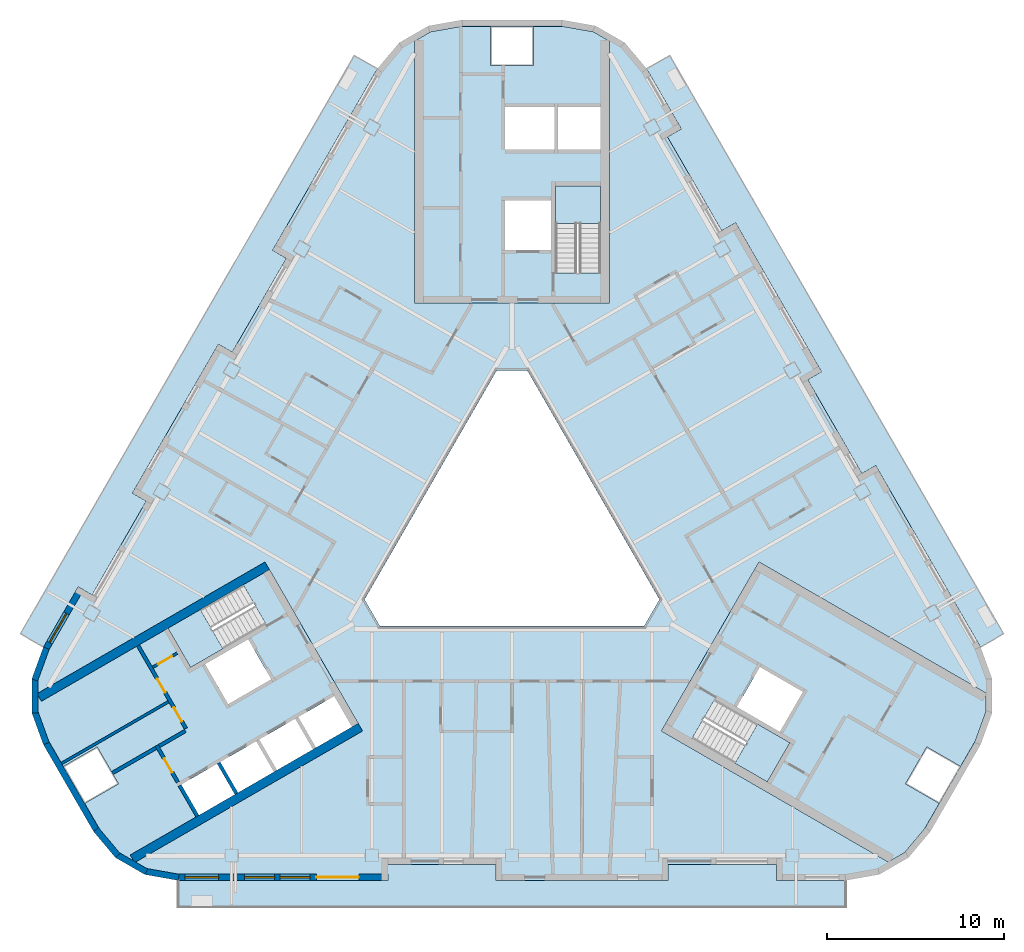
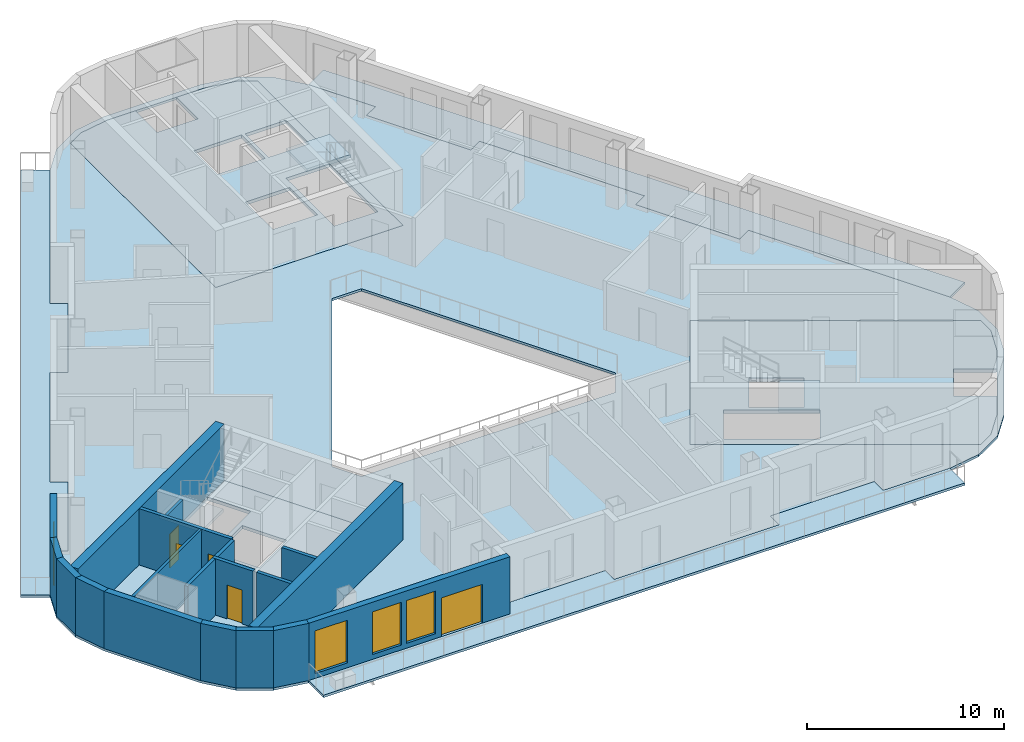
# One storey, part 2 of 14: 19 walls, 10 slabs, 5 doors, 4 windows, 9 openings, 3 elements without a shape of their own.
"""IFC4 building model written with IfcOpenShell, lengths in metres."""

from ifc_helpers import new_model, si_unit, direction, frame, frame_2d, origin, place, context, subcontext, project, spatial, polyline, rectangle, outline, extrude, material, layer, layer_set, type_object, element, fill, aggregate, save


model = new_model("IFC4")

# Units and contexts
model_context = context("Model", 3, precision=1e-05, world=origin(), true_north=direction((0.0, 1.0)))
body_context = subcontext(model_context, "Body", "Model", "MODEL_VIEW")
ifc_project = project(units=[si_unit("LENGTHUNIT", "METRE"), si_unit("AREAUNIT", "SQUARE_METRE"), si_unit("VOLUMEUNIT", "CUBIC_METRE"), si_unit("PLANEANGLEUNIT", "RADIAN"), si_unit("MASSUNIT", "GRAM", prefix="KILO")], contexts=[model_context])

# Site, building, storey
site_placement = place(None, origin())
site = spatial("IfcSite", under=ifc_project, at=site_placement, CompositionType="ELEMENT")
building_placement = place(site_placement, origin())
building = spatial("IfcBuilding", under=site, at=building_placement, Name="Apuvela Tower Hotel", CompositionType="ELEMENT")
storey_placement = place(building_placement, frame((0.0, 0.0, 216.89990234375)))
storey = spatial("IfcBuildingStorey", under=building, at=storey_placement, Name="L53", CompositionType="ELEMENT", Elevation=216.89990234375)

# Slabs
ifc_material_1 = material(Name="Concrete C50/60", Category="concrete")
ifc_layer_1 = layer(ifc_material_1, 0.199951171875)
ifc_layer_set_1 = layer_set([ifc_layer_1], Name="COR-FLOOR-200")
slab_type_1 = type_object("IfcSlabType", Name="COR-FLOOR-200", PredefinedType="FLOOR", material=ifc_layer_set_1)
slab_1_placement = place(storey_placement, frame((0.0, 0.0, -0.199951171875)))
element("IfcSlab", 1, at=slab_1_placement, inside=storey, type_object=slab_type_1, Name="Core floor N", PredefinedType="FLOOR", context=body_context, shape_type="SweptSolid", body=[
    extrude(outline(polyline([(5.5, 27.668212890625), (4.588623046875, 28.1943359375), (2.85498046875, 28.5), (1.199951171875, 28.5), (1.199951171875, 26.300048828125), (-1.199951171875, 26.300048828125), (-1.199951171875, 28.5), (-2.85498046875, 28.5), (-4.588623046875, 28.1943359375), (-5.5, 27.668212890625), (-5.5, 12.89990234375), (5.5, 12.89990234375), (5.5, 27.668212890625)]), holes=[polyline([(5.0, 14.60595703125), (2.449951171875, 14.60595703125), (2.449951171875, 19.5), (5.0, 19.5), (5.0, 14.60595703125)]), polyline([(2.199951171875, 15.89990234375), (-0.39990234375, 15.89990234375), (-0.39990234375, 18.699951171875), (2.199951171875, 18.699951171875), (2.199951171875, 15.89990234375)]), polyline([(5.0, 21.550048828125), (2.60009765625, 21.550048828125), (2.60009765625, 23.949951171875), (5.0, 23.949951171875), (5.0, 21.550048828125)]), polyline([(2.39990234375, 21.550048828125), (-0.39990234375, 21.550048828125), (-0.39990234375, 23.949951171875), (2.39990234375, 23.949951171875), (2.39990234375, 21.550048828125)])]), origin(), (0.0, 0.0, 1.0), 0.199951171875),
])
slab_2_placement = place(storey_placement, frame((0.0, 0.0, -0.199951171875)))
element("IfcSlab", 2, at=slab_2_placement, inside=storey, type_object=slab_type_1, Name="Core floor SW", PredefinedType="FLOOR", context=body_context, shape_type="SweptSolid", body=[
    extrude(outline(polyline([(-26.711181640625, -9.07080078125), (-26.711181640625, -10.123291015625), (-26.109375, -11.77734375), (-25.28173828125, -13.210693359375), (-23.37646484375, -12.11083984375), (-22.176513671875, -14.189208984375), (-24.081787109375, -15.289306640625), (-23.254150390625, -16.72265625), (-22.122802734375, -18.071044921875), (-21.211181640625, -18.59716796875), (-8.421630859375, -11.213134765625), (-13.921630859375, -1.68701171875), (-26.711181640625, -9.07080078125)]), holes=[polyline([(-10.01806640625, -9.248046875), (-9.01806640625, -10.97998046875), (-11.044677734375, -12.150146484375), (-12.044677734375, -10.418212890625), (-10.01806640625, -9.248046875)]), polyline([(-14.244384765625, -11.68798828125), (-12.2177734375, -10.51806640625), (-11.2177734375, -12.25), (-13.244384765625, -13.420166015625), (-14.244384765625, -11.68798828125)]), polyline([(-19.387451171875, -5.419921875), (-15.149169921875, -2.972900390625), (-13.874267578125, -5.18115234375), (-18.112548828125, -7.628173828125), (-19.387451171875, -5.419921875)]), polyline([(-14.869873046875, -6.044677734375), (-13.56982421875, -8.29638671875), (-15.99462890625, -9.6962890625), (-17.294677734375, -7.444580078125), (-14.869873046875, -6.044677734375)]), polyline([(-16.444091796875, -12.9580078125), (-14.41748046875, -11.7880859375), (-13.41748046875, -13.52001953125), (-15.444091796875, -14.690185546875), (-16.444091796875, -12.9580078125)]), polyline([(-18.643798828125, -14.22802734375), (-16.6171875, -13.05810546875), (-15.6171875, -14.7900390625), (-17.643798828125, -15.960205078125), (-18.643798828125, -14.22802734375)])]), origin(), (0.0, 0.0, 1.0), 0.199951171875),
])
slab_3_placement = place(storey_placement, frame((0.0, 0.0, -0.199951171875)))
element("IfcSlab", 3, at=slab_3_placement, inside=storey, type_object=slab_type_1, Name="Core floor SE", PredefinedType="FLOOR", context=body_context, shape_type="SweptSolid", body=[
    extrude(outline(polyline([(21.211181640625, -18.59716796875), (22.122802734375, -18.071044921875), (23.254150390625, -16.72265625), (24.081787109375, -15.289306640625), (22.176513671875, -14.189208984375), (23.37646484375, -12.11083984375), (25.28173828125, -13.210693359375), (26.109375, -11.77734375), (26.711181640625, -10.123291015625), (26.711181640625, -9.07080078125), (13.921630859375, -1.68701171875), (8.421630859375, -11.213134765625), (21.211181640625, -18.59716796875)]), holes=[polyline([(11.42431640625, -9.4248046875), (15.66259765625, -11.871826171875), (14.387451171875, -14.080078125), (10.149169921875, -11.633056640625), (11.42431640625, -9.4248046875)]), polyline([(13.9697265625, -7.603515625), (16.394775390625, -9.003662109375), (15.0947265625, -11.25537109375), (12.669921875, -9.855224609375), (13.9697265625, -7.603515625)])]), origin(), (0.0, 0.0, 1.0), 0.199951171875),
])

# Stair, slab
stair_type = type_object("IfcStairType", Name="COR-STAIR-22R", PredefinedType="HALF_TURN_STAIR", material=ifc_material_1)
stair_1_placement = place(storey_placement, origin())
stair_1 = element("IfcStair", 4, at=stair_1_placement, inside=storey, type_object=stair_type, Name="L53 Exit stair ST1", PredefinedType="HALF_TURN_STAIR")
ifc_layer_2 = layer(ifc_material_1, 0.199951171875)
ifc_layer_set_2 = layer_set([ifc_layer_2], Name="COR-LANDING-200")
slab_type_2 = type_object("IfcSlabType", Name="COR-LANDING-200", PredefinedType="LANDING", material=ifc_layer_set_2)
slab_4_placement = place(storey_placement, frame((0.0, 0.0, 1.650146484375)))
slab_4 = element("IfcSlab", 5, at=slab_4_placement, type_object=slab_type_2, Name="ST1 landing 1", PredefinedType="LANDING", context=body_context, shape_type="SweptSolid", body=[
    extrude(outline(polyline([(5.0, 17.39404296875), (5.0, 19.5), (2.449951171875, 19.5), (2.449951171875, 17.39404296875), (5.0, 17.39404296875)])), origin(), (0.0, 0.0, 1.0), 0.199951171875),
])
aggregate(stair_1, [slab_4])

stair_2_placement = place(storey_placement, origin())
stair_2 = element("IfcStair", 6, at=stair_2_placement, inside=storey, type_object=stair_type, Name="L53 Exit stair ST2", PredefinedType="HALF_TURN_STAIR")
slab_5_placement = place(storey_placement, frame((0.0, 0.0, 1.650146484375)))
slab_5 = element("IfcSlab", 7, at=slab_5_placement, type_object=slab_type_2, Name="ST2 landing 1", PredefinedType="LANDING", context=body_context, shape_type="SweptSolid", body=[
    extrude(outline(polyline([(-17.563720703125, -4.366943359375), (-19.387451171875, -5.419921875), (-18.112548828125, -7.628173828125), (-16.28857421875, -6.5751953125), (-17.563720703125, -4.366943359375)])), origin(), (0.0, 0.0, 1.0), 0.199951171875),
])
aggregate(stair_2, [slab_5])

stair_3_placement = place(storey_placement, origin())
stair_3 = element("IfcStair", 8, at=stair_3_placement, inside=storey, type_object=stair_type, Name="L53 Exit stair ST3", PredefinedType="HALF_TURN_STAIR")
slab_6_placement = place(storey_placement, frame((0.0, 0.0, 1.650146484375)))
slab_6 = element("IfcSlab", 9, at=slab_6_placement, type_object=slab_type_2, Name="ST3 landing 1", PredefinedType="LANDING", context=body_context, shape_type="SweptSolid", body=[
    extrude(outline(polyline([(12.563720703125, -13.027099609375), (14.387451171875, -14.080078125), (15.66259765625, -11.871826171875), (13.838623046875, -10.81884765625), (12.563720703125, -13.027099609375)])), origin(), (0.0, 0.0, 1.0), 0.199951171875),
])
aggregate(stair_3, [slab_6])

# Slabs
ifc_material_2 = material(Name="Concrete C40/50, fair-faced", Category="concrete")
ifc_layer_3 = layer(ifc_material_2, 0.14990234375)
ifc_layer_set_3 = layer_set([ifc_layer_3], Name="ENV-BALCONY-150")
slab_type_3 = type_object("IfcSlabType", Name="ENV-BALCONY-150", PredefinedType="FLOOR", material=ifc_layer_set_3)
slab_7_placement = place(storey_placement, frame((0.0, 0.0, -0.14990234375)))
element("IfcSlab", 10, at=slab_7_placement, inside=storey, type_object=slab_type_3, Name="Balcony slab S L53", PredefinedType="FLOOR", context=body_context, shape_type="SweptSolid", body=[
    extrude(outline(polyline([(18.82080078125, -21.135009765625), (-18.82080078125, -21.135009765625), (-18.82080078125, -19.625), (-7.0048828125, -19.625), (-7.0048828125, -18.72509765625), (-0.89501953125, -18.72509765625), (-0.89501953125, -19.625), (8.794921875, -19.625), (8.794921875, -18.72509765625), (14.905029296875, -18.72509765625), (14.905029296875, -19.625), (18.82080078125, -19.625), (18.82080078125, -21.135009765625)])), origin(), (0.0, 0.0, 1.0), 0.14990234375),
])
slab_8_placement = place(storey_placement, frame((0.0, 0.0, -0.14990234375)))
element("IfcSlab", 11, at=slab_8_placement, inside=storey, type_object=slab_type_3, Name="Balcony slab NE L53", PredefinedType="FLOOR", context=body_context, shape_type="SweptSolid", body=[
    extrude(outline(polyline([(17.443359375, 9.037353515625), (12.598388671875, 17.42919921875), (11.81884765625, 16.979248046875), (8.763916015625, 22.2705078125), (9.543212890625, 22.720703125), (7.585205078125, 26.11181640625), (8.89306640625, 26.86669921875), (27.7138671875, -5.731689453125), (26.40625, -6.48681640625), (20.498291015625, 3.74609375), (19.71875, 3.2958984375), (16.663818359375, 8.58740234375), (17.443359375, 9.037353515625)])), origin(), (0.0, 0.0, 1.0), 0.14990234375),
])
slab_9_placement = place(storey_placement, frame((0.0, 0.0, -0.14990234375)))
element("IfcSlab", 12, at=slab_9_placement, inside=storey, type_object=slab_type_3, Name="Balcony slab NW L53", PredefinedType="FLOOR", context=body_context, shape_type="SweptSolid", body=[
    extrude(outline(polyline([(-27.7138671875, -5.731689453125), (-8.89306640625, 26.86669921875), (-7.585205078125, 26.11181640625), (-13.4931640625, 15.87890625), (-12.7138671875, 15.428955078125), (-15.768798828125, 10.1376953125), (-16.548095703125, 10.587646484375), (-21.393310546875, 2.19580078125), (-20.61376953125, 1.745849609375), (-23.668701171875, -3.545654296875), (-24.4482421875, -3.095703125), (-26.40625, -6.48681640625), (-27.7138671875, -5.731689453125)])), origin(), (0.0, 0.0, 1.0), 0.14990234375),
])
ifc_material_3 = material(Name="Concrete C35/45", Category="concrete")
ifc_layer_4 = layer(ifc_material_3, 0.14990234375)
ifc_layer_set_4 = layer_set([ifc_layer_4], Name="STR-SLAB 150 floor Concrete C35/45")
slab_type_4 = type_object("IfcSlabType", Name="STR-SLAB 150 floor Concrete C35/45", PredefinedType="FLOOR", material=ifc_layer_set_4)
slab_10_placement = place(storey_placement, frame((0.0, 0.0, -0.14990234375)))
element("IfcSlab", 13, at=slab_10_placement, inside=storey, type_object=slab_type_4, Name="Floor slab S4 L53", PredefinedType="FLOOR", context=body_context, shape_type="SweptSolid", body=[
    extrude(outline(polyline([(-6.3642578125, 27.5732421875), (-4.710205078125, 28.5283203125), (-2.8291015625, 28.860107421875), (2.8291015625, 28.860107421875), (4.710205078125, 28.5283203125), (6.3642578125, 27.5732421875), (7.59228515625, 26.110107421875), (9.550048828125, 22.71875), (8.770751953125, 22.268798828125), (11.82080078125, 16.986083984375), (12.60009765625, 17.43603515625), (17.4501953125, 9.035400390625), (16.670654296875, 8.58544921875), (19.720703125, 3.302734375), (20.5, 3.752685546875), (26.407958984375, -6.47998046875), (27.061279296875, -8.27490234375), (27.061279296875, -10.18505859375), (26.407958984375, -11.97998046875), (23.5791015625, -16.8798828125), (22.351318359375, -18.34326171875), (20.697021484375, -19.29833984375), (18.81591796875, -19.6298828125), (14.89990234375, -19.6298828125), (14.89990234375, -18.72998046875), (8.800048828125, -18.72998046875), (8.800048828125, -19.6298828125), (-0.89990234375, -19.6298828125), (-0.89990234375, -18.72998046875), (-7.0, -18.72998046875), (-7.0, -19.6298828125), (-18.81591796875, -19.6298828125), (-20.697021484375, -19.29833984375), (-22.351318359375, -18.34326171875), (-23.5791015625, -16.8798828125), (-26.407958984375, -11.97998046875), (-27.061279296875, -10.18505859375), (-27.061279296875, -8.27490234375), (-26.407958984375, -6.47998046875), (-24.4501953125, -3.088623046875), (-23.670654296875, -3.538818359375), (-20.62060546875, 1.743896484375), (-21.400146484375, 2.194091796875), (-16.550048828125, 10.594482421875), (-15.7705078125, 10.14453125), (-12.720703125, 15.42724609375), (-13.5, 15.877197265625), (-7.59228515625, 26.110107421875), (-6.3642578125, 27.5732421875)]), holes=[polyline([(0.865966796875, 9.10009765625), (-0.865966796875, 9.10009765625), (-8.313720703125, -3.800048828125), (-7.44775390625, -5.300048828125), (7.44775390625, -5.300048828125), (8.313720703125, -3.800048828125), (0.865966796875, 9.10009765625)]), polyline([(-5.5, 12.89990234375), (-5.5, 27.668212890625), (-4.588623046875, 28.1943359375), (-2.85498046875, 28.5), (2.85498046875, 28.5), (4.588623046875, 28.1943359375), (5.5, 27.668212890625), (5.5, 12.89990234375), (-5.5, 12.89990234375)]), polyline([(-8.421630859375, -11.213134765625), (-21.211181640625, -18.59716796875), (-22.122802734375, -18.071044921875), (-23.254150390625, -16.72265625), (-26.109375, -11.77734375), (-26.711181640625, -10.123291015625), (-26.711181640625, -9.07080078125), (-13.921630859375, -1.68701171875), (-8.421630859375, -11.213134765625)]), polyline([(13.921630859375, -1.68701171875), (26.711181640625, -9.07080078125), (26.711181640625, -10.123291015625), (26.109375, -11.77734375), (23.254150390625, -16.72265625), (22.122802734375, -18.071044921875), (21.211181640625, -18.59716796875), (8.421630859375, -11.213134765625), (13.921630859375, -1.68701171875)])]), origin(), (0.0, 0.0, 1.0), 0.14990234375),
])

# Walls
ifc_layer_5 = layer(ifc_material_1, 0.5)
ifc_layer_set_5 = layer_set([ifc_layer_5], Name="COR-WALL-CORE-500")
wall_type_1 = type_object("IfcWallType", Name="COR-WALL-CORE-500", PredefinedType="SHEAR", material=ifc_layer_set_5)
for number, where, z_axis, x_axis, name in (
    (14, (-13.796630859375, -1.9033203125, 0.0), (0.0, 0.0, 1.0), (-0.866025009528, -0.500000682871, 0.0), "Core wall SW"),
    (15, (-8.546630859375, -10.99658203125, 0.0), (0.0, 0.0, 1.0), (-0.866025009528, -0.500000682871, 0.0), "Core wall SW"),
):
    element("IfcWall", number, at=place(storey_placement, frame(where, z_axis=z_axis, x_axis=x_axis)), inside=storey, type_object=wall_type_1, Name=name, PredefinedType="SHEAR", context=body_context, shape_type="SweptSolid", body=[
        extrude(rectangle(XDim=14.8369140625, YDim=0.5, at=frame_2d((7.41845703125, 0.0))), origin(), (0.0, 0.0, 1.0), 3.5),
    ])

# Wall, opening, door
ifc_material_4 = material(Name="Blockwork 150 mm plastered", Category="masonry")
ifc_layer_6 = layer(ifc_material_4, 0.14990234375)
ifc_layer_set_6 = layer_set([ifc_layer_6], Name="COR-WALL-PART-150")
wall_type_2 = type_object("IfcWallType", Name="COR-WALL-PART-150", PredefinedType="PARTITIONING", material=ifc_layer_set_6)
wall_1_placement = place(storey_placement, frame((-18.866455078125, -6.822265625, 0.0), z_axis=(0.0, 0.0, 1.0), x_axis=(-0.866028054938, -0.499995408039, 0.0)))
wall_1 = element("IfcWall", 16, at=wall_1_placement, inside=storey, type_object=wall_type_2, Name="Partition SW", PredefinedType="PARTITIONING", context=body_context, shape_type="SweptSolid", body=[
    extrude(rectangle(XDim=1.60009765625, YDim=0.14990234375, at=frame_2d((0.800048828125, 0.0))), origin(), (0.0, 0.0, 1.0), 3.5),
])
opening_1_placement = place(wall_1_placement, frame((0.35009765625, 0.0, 0.0)))
opening_1 = element("IfcOpeningElement", 17, at=opening_1_placement, cuts=wall_1, Name="Opening W-RD", PredefinedType="OPENING", context=body_context, shape_type="SweptSolid", body=[
    extrude(rectangle(XDim=0.89990234375, YDim=2.10009765625, at=frame_2d((0.449951171875, 1.050048828125))), frame((0.0, 0.0849609375, 0.0), z_axis=(0.0, -1.0, 0.0), x_axis=(1.0, 0.0, 0.0)), (0.0, 0.0, 1.0), 0.169921875),
])
ifc_material_5 = material(Name="Steel access door, powder coated", Category="steel")
door_type_1 = type_object("IfcDoorType", Name="COR-RD-900", OperationType="NOTDEFINED", PredefinedType="DOOR", material=ifc_material_5)
door_1_placement = place(opening_1_placement, frame((0.89990234375, 0.0, 0.0), z_axis=(0.0, 0.0, 1.0), x_axis=(-1.0, 0.0, 0.0)))
door_1 = element("IfcDoor", 18, at=door_1_placement, inside=storey, type_object=door_type_1, Name="Riser door W-RD", OperationType="SINGLE_SWING_RIGHT", OverallHeight=2.10009765625, OverallWidth=0.89990234375, PredefinedType="DOOR", context=body_context, shape_type="SweptSolid", body=[
    extrude(rectangle(XDim=0.89990234375, YDim=2.10009765625, at=frame_2d((0.449951171875, 1.050048828125))), frame((0.0, 0.02490234375, 0.0), z_axis=(0.0, -1.0, 0.0), x_axis=(1.0, 0.0, 0.0)), (0.0, 0.0, 1.0), 0.050048828125),
])
fill(opening_1, door_1)

# Wall
wall_2_placement = place(storey_placement, frame((-19.36279296875, -9.5625, 0.0), z_axis=(0.0, 0.0, 1.0), x_axis=(-0.866016523273, -0.500015381182, 0.0)))
element("IfcWall", 19, at=wall_2_placement, inside=storey, type_object=wall_type_2, Name="Partition SW", PredefinedType="PARTITIONING", context=body_context, shape_type="SweptSolid", body=[
    extrude(rectangle(XDim=6.949951171875, YDim=0.14990234375, at=frame_2d((3.47509765625, 0.0))), origin(), (0.0, 0.0, 1.0), 3.5),
])

# Wall, openings, doors
ifc_material_6 = material(Name="Blockwork 200 mm plastered", Category="masonry")
ifc_layer_7 = layer(ifc_material_6, 0.199951171875)
ifc_layer_set_7 = layer_set([ifc_layer_7], Name="COR-WALL-PART-200")
wall_type_3 = type_object("IfcWallType", Name="COR-WALL-PART-200", PredefinedType="PARTITIONING", material=ifc_layer_set_7)
wall_3_placement = place(storey_placement, frame((-21.076171875, -6.39501953125, 0.0), z_axis=(0.0, 0.0, 1.0), x_axis=(0.50001468107, -0.866016927499, 0.0)))
wall_3 = element("IfcWall", 20, at=wall_3_placement, inside=storey, type_object=wall_type_3, Name="Partition SW", PredefinedType="PARTITIONING", context=body_context, shape_type="SweptSolid", body=[
    extrude(rectangle(XDim=5.399658203125, YDim=0.199951171875, at=frame_2d((2.69970703125, 0.0))), origin(), (0.0, 0.0, 1.0), 3.5),
])
opening_2_placement = place(wall_3_placement, frame((2.16259765625, 0.0, 0.0)))
opening_2 = element("IfcOpeningElement", 21, at=opening_2_placement, cuts=wall_3, Name="Opening W-RS1", PredefinedType="OPENING", context=body_context, shape_type="SweptSolid", body=[
    extrude(rectangle(XDim=0.89990234375, YDim=2.10009765625, at=frame_2d((0.449951171875, 1.050048828125))), frame((0.0, 0.10986328125, 0.0), z_axis=(0.0, -1.0, 0.0), x_axis=(1.0, 0.0, 0.0)), (0.0, 0.0, 1.0), 0.219970703125),
])
opening_3_placement = place(wall_3_placement, frame((4.03759765625, 0.0, 0.0)))
opening_3 = element("IfcOpeningElement", 22, at=opening_3_placement, cuts=wall_3, Name="Opening W-RS2", PredefinedType="OPENING", context=body_context, shape_type="SweptSolid", body=[
    extrude(rectangle(XDim=0.89990234375, YDim=2.10009765625, at=frame_2d((0.449951171875, 1.050048828125))), frame((0.0, 0.10986328125, 0.0), z_axis=(0.0, -1.0, 0.0), x_axis=(1.0, 0.0, 0.0)), (0.0, 0.0, 1.0), 0.219970703125),
])
ifc_material_7 = material(Name="Steel fire door, powder coated", Category="steel")
door_type_2 = type_object("IfcDoorType", Name="COR-DR-900", OperationType="NOTDEFINED", PredefinedType="DOOR", material=ifc_material_7)
door_2_placement = place(opening_2_placement, frame((0.89990234375, 0.0, 0.0), z_axis=(0.0, 0.0, 1.0), x_axis=(-1.0, 0.0, 0.0)))
door_2 = element("IfcDoor", 23, at=door_2_placement, inside=storey, type_object=door_type_2, Name="Store door W-RS1", OperationType="SINGLE_SWING_LEFT", OverallHeight=2.10009765625, OverallWidth=0.89990234375, PredefinedType="DOOR", context=body_context, shape_type="SweptSolid", body=[
    extrude(rectangle(XDim=0.89990234375, YDim=2.10009765625, at=frame_2d((0.449951171875, 1.050048828125))), frame((0.0, 0.02490234375, 0.0), z_axis=(0.0, -1.0, 0.0), x_axis=(1.0, 0.0, 0.0)), (0.0, 0.0, 1.0), 0.050048828125),
])
fill(opening_2, door_2)
door_3_placement = place(opening_3_placement, frame((0.89990234375, 0.0, 0.0), z_axis=(0.0, 0.0, 1.0), x_axis=(-1.0, 0.0, 0.0)))
door_3 = element("IfcDoor", 24, at=door_3_placement, inside=storey, type_object=door_type_2, Name="Store door W-RS2", OperationType="SINGLE_SWING_LEFT", OverallHeight=2.10009765625, OverallWidth=0.89990234375, PredefinedType="DOOR", context=body_context, shape_type="SweptSolid", body=[
    extrude(rectangle(XDim=0.89990234375, YDim=2.10009765625, at=frame_2d((0.449951171875, 1.050048828125))), frame((0.0, 0.02490234375, 0.0), z_axis=(0.0, -1.0, 0.0), x_axis=(1.0, 0.0, 0.0)), (0.0, 0.0, 1.0), 0.050048828125),
])
fill(opening_3, door_3)

# Wall, opening, door
ifc_layer_8 = layer(ifc_material_1, 0.199951171875)
ifc_layer_set_8 = layer_set([ifc_layer_8], Name="COR-WALL-SHAFT-200")
wall_type_4 = type_object("IfcWallType", Name="COR-WALL-SHAFT-200", PredefinedType="SHEAR", material=ifc_layer_set_8)
wall_4_placement = place(storey_placement, frame((-20.030517578125, -12.0263671875, 0.0), z_axis=(0.0, 0.0, 1.0), x_axis=(0.500033551112, -0.866006032174, 0.0)))
wall_4 = element("IfcWall", 25, at=wall_4_placement, inside=storey, type_object=wall_type_4, Name="Shaft wall SW", PredefinedType="SHEAR", context=body_context, shape_type="SweptSolid", body=[
    extrude(rectangle(XDim=2.400146484375, YDim=0.199951171875, at=frame_2d((1.2001953125, 0.0))), origin(), (0.0, 0.0, 1.0), 3.5),
])
opening_4_placement = place(wall_4_placement, frame((0.85009765625, 0.0, 0.0)))
opening_4 = element("IfcOpeningElement", 26, at=opening_4_placement, cuts=wall_4, Name="Opening W-REP", PredefinedType="OPENING", context=body_context, shape_type="SweptSolid", body=[
    extrude(rectangle(XDim=0.89990234375, YDim=2.10009765625, at=frame_2d((0.449951171875, 1.050048828125))), frame((0.0, 0.10986328125, 0.0), z_axis=(0.0, -1.0, 0.0), x_axis=(1.0, 0.0, 0.0)), (0.0, 0.0, 1.0), 0.219970703125),
])
door_4_placement = place(opening_4_placement, frame((0.89990234375, 0.0, 0.0), z_axis=(0.0, 0.0, 1.0), x_axis=(-1.0, 0.0, 0.0)))
door_4 = element("IfcDoor", 27, at=door_4_placement, inside=storey, type_object=door_type_2, Name="Store door W-REP", OperationType="SINGLE_SWING_LEFT", OverallHeight=2.10009765625, OverallWidth=0.89990234375, PredefinedType="DOOR", context=body_context, shape_type="SweptSolid", body=[
    extrude(rectangle(XDim=0.89990234375, YDim=2.10009765625, at=frame_2d((0.449951171875, 1.050048828125))), frame((0.0, 0.02490234375, 0.0), z_axis=(0.0, -1.0, 0.0), x_axis=(1.0, 0.0, 0.0)), (0.0, 0.0, 1.0), 0.050048828125),
])
fill(opening_4, door_4)

# Walls
wall_5_placement = place(storey_placement, frame((-18.412841796875, -11.2080078125, 0.0), z_axis=(0.0, 0.0, 1.0), x_axis=(-0.866038183914, -0.499977863513, 0.0)))
element("IfcWall", 28, at=wall_5_placement, inside=storey, type_object=wall_type_4, Name="Shaft wall SW", PredefinedType="SHEAR", context=body_context, shape_type="SweptSolid", body=[
    extrude(rectangle(XDim=1.7099609375, YDim=0.199951171875, at=frame_2d((0.85498046875, 0.0))), origin(), (0.0, 0.0, 1.0), 3.5),
])
for number, where, z_axis, x_axis, name in (
    (29, (-16.530517578125, -13.008056640625, 0.0), (0.0, 0.0, 1.0), (0.50002537861, -0.866010750942, 0.0), "Shaft wall SW"),
    (30, (-18.73046875, -14.278076171875, 0.0), (0.0, 0.0, 1.0), (0.50002537861, -0.866010750942, 0.0), "Shaft wall SW"),
):
    element("IfcWall", number, at=place(storey_placement, frame(where, z_axis=z_axis, x_axis=x_axis)), inside=storey, type_object=wall_type_4, Name=name, PredefinedType="SHEAR", context=body_context, shape_type="SweptSolid", body=[
        extrude(rectangle(XDim=2.0, YDim=0.199951171875, at=frame_2d((1.0, 0.0))), origin(), (0.0, 0.0, 1.0), 3.5),
    ])
wall_6_placement = place(storey_placement, frame((-20.06689453125, -12.1630859375, 0.0), z_axis=(0.0, 0.0, 1.0), x_axis=(-0.866055327414, -0.49994816717, 0.0)))
element("IfcWall", 31, at=wall_6_placement, inside=storey, type_object=wall_type_4, Name="Shaft wall SW", PredefinedType="SHEAR", context=body_context, shape_type="SweptSolid", body=[
    extrude(rectangle(XDim=2.840087890625, YDim=0.199951171875, at=frame_2d((1.419921875, 0.0))), origin(), (0.0, 0.0, 1.0), 3.5),
])

# Wall, opening, window
ifc_material_8 = material(Name="Concrete C40/50, dark pigmented precast panel", Category="concrete")
ifc_layer_9 = layer(ifc_material_8, 0.35009765625)
ifc_layer_set_9 = layer_set([ifc_layer_9], Name="ENV-WALL-350")
wall_type_5 = type_object("IfcWallType", Name="ENV-WALL-350", PredefinedType="SOLIDWALL", material=ifc_layer_set_9)
wall_7_placement = place(storey_placement, frame((-24.298583984375, -3.17626953125, 0.0), z_axis=(0.0, 0.0, 1.0), x_axis=(-0.500028278809, -0.866009076391, 0.0)))
wall_7 = element("IfcWall", 32, at=wall_7_placement, inside=storey, type_object=wall_type_5, Name="External wall L53-09", PredefinedType="SOLIDWALL", context=body_context, shape_type="SweptSolid", body=[
    extrude(rectangle(XDim=3.915771484375, YDim=0.35009765625, at=frame_2d((1.9580078125, 0.0))), origin(), (0.0, 0.0, 1.0), 3.550048828125),
])
opening_5_placement = place(wall_7_placement, frame((1.625, 0.0, 0.300048828125)))
opening_5 = element("IfcOpeningElement", 33, at=opening_5_placement, cuts=wall_7, Name="Opening WN19", PredefinedType="OPENING", context=body_context, shape_type="SweptSolid", body=[
    extrude(rectangle(XDim=1.89990234375, YDim=2.64990234375, at=frame_2d((0.949951171875, 1.324951171875))), frame((0.0, 0.18505859375, 0.0), z_axis=(0.0, -1.0, 0.0), x_axis=(1.0, 0.0, 0.0)), (0.0, 0.0, 1.0), 0.3701171875),
])
ifc_material_9 = material(Name="Glass, dark tinted laminated insulated glazing unit", Category="glass")
window_type_1 = type_object("IfcWindowType", Name="ENV-WIN-1900x2650", PartitioningType="SINGLE_PANEL", PredefinedType="WINDOW", material=ifc_material_9)
window_1_placement = place(opening_5_placement, origin())
window_1 = element("IfcWindow", 34, at=window_1_placement, inside=storey, type_object=window_type_1, Name="Window WN19", OverallHeight=2.64990234375, OverallWidth=1.89990234375, PartitioningType="SINGLE_PANEL", PredefinedType="WINDOW", context=body_context, shape_type="SweptSolid", body=[
    extrude(rectangle(XDim=1.89990234375, YDim=2.64990234375, at=frame_2d((0.949951171875, 1.324951171875))), frame((0.0, 0.030029296875, 0.0), z_axis=(0.0, -1.0, 0.0), x_axis=(1.0, 0.0, 0.0)), (0.0, 0.0, 1.0), 0.06005859375),
])
fill(opening_5, window_1)

# Walls
for number, where, z_axis, x_axis, name in (
    (35, (-26.24365234375, -6.539794921875, 0.0), (0.0, 0.0, 1.0), (-0.342030395486, -0.939688889242, 0.0), "External wall L53-10"),
    (36, (-26.88623046875, -8.27490234375, 0.0), (0.0, 0.0, 1.0), (0.0, -1.0, 0.0), "External wall L53-11"),
    (37, (-26.89697265625, -10.125244140625, 0.0), (0.0, 0.0, 1.0), (0.342030395486, -0.939688889242, 0.0), "External wall L53-12"),
):
    element("IfcWall", number, at=place(storey_placement, frame(where, z_axis=z_axis, x_axis=x_axis)), inside=storey, type_object=wall_type_5, Name=name, PredefinedType="SOLIDWALL", context=body_context, shape_type="SweptSolid", body=[
        extrude(rectangle(XDim=1.91015625, YDim=0.35009765625, at=frame_2d((0.955078125, 0.0))), origin(), (0.0, 0.0, 1.0), 3.550048828125),
    ])
wall_8_placement = place(storey_placement, frame((-26.256591796875, -11.892578125, 0.0), z_axis=(0.0, 0.0, 1.0), x_axis=(0.500018773155, -0.866014564827, 0.0)))
element("IfcWall", 38, at=wall_8_placement, inside=storey, type_object=wall_type_5, Name="External wall L53-13", PredefinedType="SOLIDWALL", context=body_context, shape_type="SweptSolid", body=[
    extrude(rectangle(XDim=5.657958984375, YDim=0.35009765625, at=frame_2d((2.8291015625, 0.0))), origin(), (0.0, 0.0, 1.0), 3.550048828125),
])
for number, where, z_axis, x_axis, name in (
    (39, (-23.44482421875, -16.767578125, 0.0), (0.0, 0.0, 1.0), (0.642733291068, -0.76609001857, 0.0), "External wall L53-14"),
    (40, (-22.263671875, -18.191650390625, 0.0), (0.0, 0.0, 1.0), (0.866000389056, -0.500043324278, 0.0), "External wall L53-15"),
):
    element("IfcWall", number, at=place(storey_placement, frame(where, z_axis=z_axis, x_axis=x_axis)), inside=storey, type_object=wall_type_5, Name=name, PredefinedType="SOLIDWALL", context=body_context, shape_type="SweptSolid", body=[
        extrude(rectangle(XDim=1.909912109375, YDim=0.35009765625, at=frame_2d((0.955078125, 0.0))), origin(), (0.0, 0.0, 1.0), 3.550048828125),
    ])
wall_9_placement = place(storey_placement, frame((-20.66650390625, -19.1259765625, 0.0), z_axis=(0.0, 0.0, 1.0), x_axis=(0.984798995425, -0.173697837091, 0.0)))
element("IfcWall", 41, at=wall_9_placement, inside=storey, type_object=wall_type_5, Name="External wall L53-16", PredefinedType="SOLIDWALL", context=body_context, shape_type="SweptSolid", body=[
    extrude(rectangle(XDim=1.91015625, YDim=0.35009765625, at=frame_2d((0.955078125, 0.0))), origin(), (0.0, 0.0, 1.0), 3.550048828125),
])

# Wall, openings, door, windows
wall_10_placement = place(storey_placement, frame((-18.81591796875, -19.455078125, 0.0), z_axis=(0.0, 0.0, 1.0), x_axis=(1.0, 0.0, 0.0)))
wall_10 = element("IfcWall", 42, at=wall_10_placement, inside=storey, type_object=wall_type_5, Name="External wall L53-17", PredefinedType="SOLIDWALL", context=body_context, shape_type="SweptSolid", body=[
    extrude(rectangle(XDim=11.81591796875, YDim=0.35009765625, at=frame_2d((5.907958984375, 0.0))), origin(), (0.0, 0.0, 1.0), 3.550048828125),
])
opening_6_placement = place(wall_10_placement, frame((0.380615234375, 0.0, 0.300048828125)))
opening_6 = element("IfcOpeningElement", 43, at=opening_6_placement, cuts=wall_10, Name="Opening WN19", PredefinedType="OPENING", context=body_context, shape_type="SweptSolid", body=[
    extrude(rectangle(XDim=1.89990234375, YDim=2.64990234375, at=frame_2d((0.949951171875, 1.324951171875))), frame((0.0, 0.18505859375, 0.0), z_axis=(0.0, -1.0, 0.0), x_axis=(1.0, 0.0, 0.0)), (0.0, 0.0, 1.0), 0.3701171875),
])
opening_7_placement = place(wall_10_placement, frame((7.790283203125, 0.0, 0.0)))
opening_7 = element("IfcOpeningElement", 44, at=opening_7_placement, cuts=wall_10, Name="Opening BD24", PredefinedType="OPENING", context=body_context, shape_type="SweptSolid", body=[
    extrude(rectangle(XDim=2.39990234375, YDim=2.39990234375, at=frame_2d((1.199951171875, 1.199951171875))), frame((0.0, 0.18505859375, 0.0), z_axis=(0.0, -1.0, 0.0), x_axis=(1.0, 0.0, 0.0)), (0.0, 0.0, 1.0), 0.3701171875),
])
opening_8_placement = place(wall_10_placement, frame((3.740966796875, 0.0, 0.300048828125)))
opening_8 = element("IfcOpeningElement", 45, at=opening_8_placement, cuts=wall_10, Name="Opening WN17", PredefinedType="OPENING", context=body_context, shape_type="SweptSolid", body=[
    extrude(rectangle(XDim=1.699951171875, YDim=2.64990234375, at=frame_2d((0.85009765625, 1.324951171875))), frame((0.0, 0.18505859375, 0.0), z_axis=(0.0, -1.0, 0.0), x_axis=(1.0, 0.0, 0.0)), (0.0, 0.0, 1.0), 0.3701171875),
])
opening_9_placement = place(wall_10_placement, frame((5.740966796875, 0.0, 0.300048828125)))
opening_9 = element("IfcOpeningElement", 46, at=opening_9_placement, cuts=wall_10, Name="Opening WN17", PredefinedType="OPENING", context=body_context, shape_type="SweptSolid", body=[
    extrude(rectangle(XDim=1.699951171875, YDim=2.64990234375, at=frame_2d((0.85009765625, 1.324951171875))), frame((0.0, 0.18505859375, 0.0), z_axis=(0.0, -1.0, 0.0), x_axis=(1.0, 0.0, 0.0)), (0.0, 0.0, 1.0), 0.3701171875),
])
ifc_material_10 = material(Name="Aluminium 6063-T6, dark bronze anodised frame with dark tinted laminated glass", Category="aluminium")
door_type_3 = type_object("IfcDoorType", Name="ENV-DOOR-BALCONY-2400x2400", OperationType="SLIDING_TO_LEFT", PredefinedType="DOOR", material=ifc_material_10)
door_5_placement = place(opening_7_placement, frame((2.39990234375, 0.0, 0.0), z_axis=(0.0, 0.0, 1.0), x_axis=(-1.0, 0.0, 0.0)))
door_5 = element("IfcDoor", 47, at=door_5_placement, inside=storey, type_object=door_type_3, Name="Balcony door BD24", OperationType="SLIDING_TO_LEFT", OverallHeight=2.39990234375, OverallWidth=2.39990234375, PredefinedType="DOOR", context=body_context, shape_type="SweptSolid", body=[
    extrude(rectangle(XDim=2.39990234375, YDim=2.39990234375, at=frame_2d((1.199951171875, 1.199951171875))), frame((0.0, 0.02490234375, 0.0), z_axis=(0.0, -1.0, 0.0), x_axis=(1.0, 0.0, 0.0)), (0.0, 0.0, 1.0), 0.050048828125),
])
fill(opening_7, door_5)
window_type_2 = type_object("IfcWindowType", Name="ENV-WIN-1700x2650", PartitioningType="SINGLE_PANEL", PredefinedType="WINDOW", material=ifc_material_9)
window_2_placement = place(opening_8_placement, origin())
window_2 = element("IfcWindow", 48, at=window_2_placement, inside=storey, type_object=window_type_2, Name="Window WN17", OverallHeight=2.64990234375, OverallWidth=1.699951171875, PartitioningType="SINGLE_PANEL", PredefinedType="WINDOW", context=body_context, shape_type="SweptSolid", body=[
    extrude(rectangle(XDim=1.699951171875, YDim=2.64990234375, at=frame_2d((0.85009765625, 1.324951171875))), frame((0.0, 0.030029296875, 0.0), z_axis=(0.0, -1.0, 0.0), x_axis=(1.0, 0.0, 0.0)), (0.0, 0.0, 1.0), 0.06005859375),
])
fill(opening_8, window_2)
window_3_placement = place(opening_9_placement, origin())
window_3 = element("IfcWindow", 49, at=window_3_placement, inside=storey, type_object=window_type_2, Name="Window WN17", OverallHeight=2.64990234375, OverallWidth=1.699951171875, PartitioningType="SINGLE_PANEL", PredefinedType="WINDOW", context=body_context, shape_type="SweptSolid", body=[
    extrude(rectangle(XDim=1.699951171875, YDim=2.64990234375, at=frame_2d((0.85009765625, 1.324951171875))), frame((0.0, 0.030029296875, 0.0), z_axis=(0.0, -1.0, 0.0), x_axis=(1.0, 0.0, 0.0)), (0.0, 0.0, 1.0), 0.06005859375),
])
fill(opening_9, window_3)
window_4_placement = place(opening_6_placement, origin())
window_4 = element("IfcWindow", 50, at=window_4_placement, inside=storey, type_object=window_type_1, Name="Window WN19", OverallHeight=2.64990234375, OverallWidth=1.89990234375, PartitioningType="SINGLE_PANEL", PredefinedType="WINDOW", context=body_context, shape_type="SweptSolid", body=[
    extrude(rectangle(XDim=1.89990234375, YDim=2.64990234375, at=frame_2d((0.949951171875, 1.324951171875))), frame((0.0, 0.030029296875, 0.0), z_axis=(0.0, -1.0, 0.0), x_axis=(1.0, 0.0, 0.0)), (0.0, 0.0, 1.0), 0.06005859375),
])
fill(opening_6, window_4)

save(model, "model.ifc")
